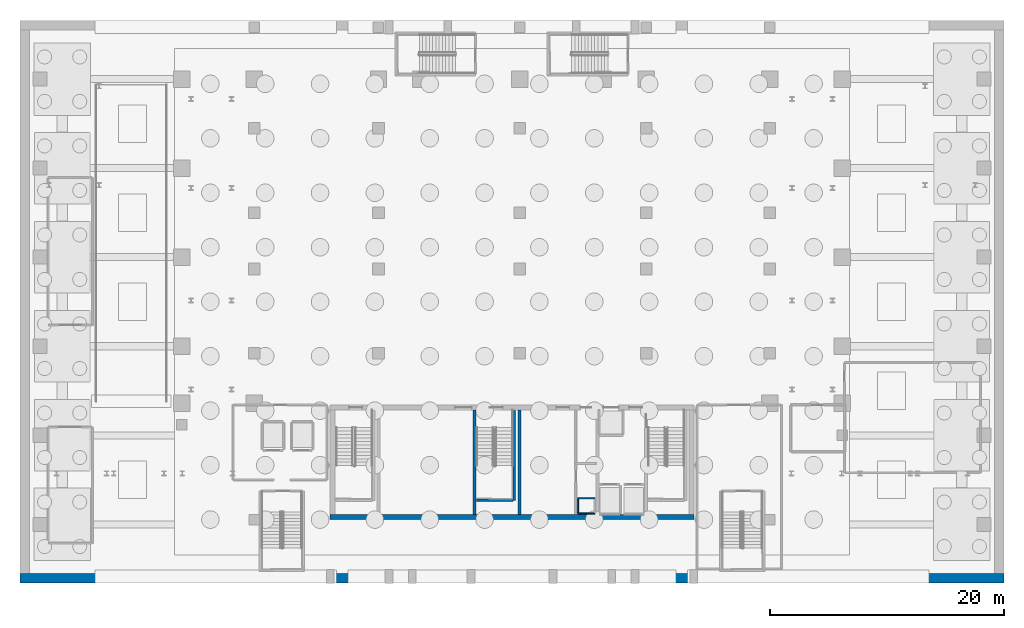
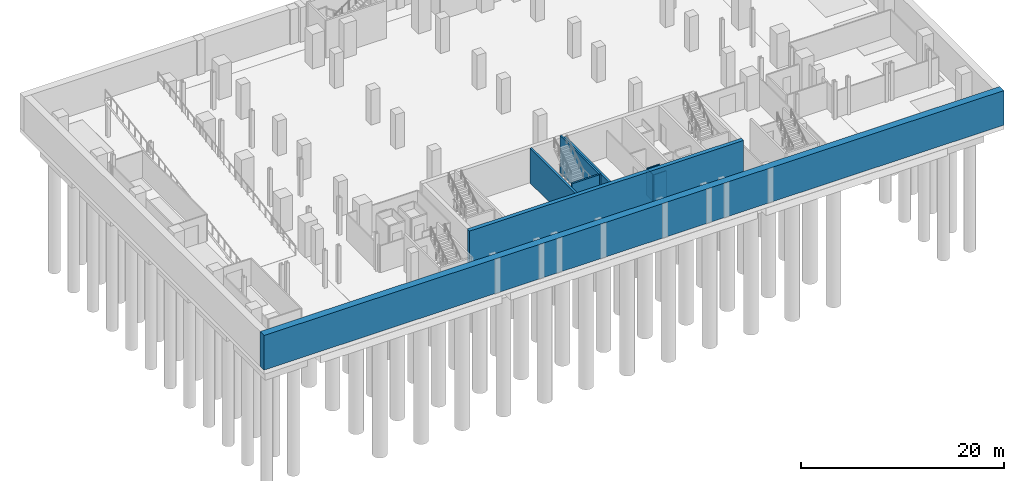
# One storey, part 9 of 18: 9 walls.
"""IFC4 building model written with IfcOpenShell, lengths in metres."""

from ifc_helpers import new_model, si_unit, direction, frame, frame_2d, origin, place, context, subcontext, project, spatial, rectangle, extrude, material, layer, layer_set, type_object, element, save


model = new_model("IFC4")

# Units and contexts
model_context = context("Model", 3, precision=1e-05, world=origin(), true_north=direction((0.0, 1.0)))
body_context = subcontext(model_context, "Body", "Model", "MODEL_VIEW")
ifc_project = project(units=[si_unit("LENGTHUNIT", "METRE"), si_unit("AREAUNIT", "SQUARE_METRE"), si_unit("VOLUMEUNIT", "CUBIC_METRE"), si_unit("PLANEANGLEUNIT", "RADIAN"), si_unit("MASSUNIT", "GRAM", prefix="KILO")], contexts=[model_context])

# Site, building, storey
site_placement = place(None, origin())
site = spatial("IfcSite", under=ifc_project, at=site_placement, CompositionType="ELEMENT")
building_placement = place(site_placement, origin())
building = spatial("IfcBuilding", under=site, at=building_placement, Name="Ndaravel Arena Tower", CompositionType="ELEMENT")
storey_placement = place(building_placement, frame((0.0, 0.0, -9.0)))
storey = spatial("IfcBuildingStorey", under=building, at=storey_placement, Name="B02", CompositionType="ELEMENT", Elevation=-9.0)

# Walls
ifc_material_1 = material(Name="Concrete C60/75", Category="concrete")
ifc_layer_1 = layer(ifc_material_1, 0.25)
ifc_layer_set_1 = layer_set([ifc_layer_1], Name="Concrete C60/75")
wall_type_1 = type_object("IfcWallType", Name="WALL-CORE-250", PredefinedType="SOLIDWALL", material=ifc_layer_set_1)
for number, where, z_axis, x_axis, name in (
    (1, (38.800048828125, 5.85009765625, 0.0), (0.0, 0.0, 1.0), (0.0, 1.0, 0.0), "B02 Core Web Shear Wall 2"),
    (2, (42.64990234375, 5.85009765625, 0.0), (0.0, 0.0, 1.0), (0.0, 1.0, 0.0), "B02 Core Web Shear Wall 3"),
):
    element("IfcWall", number, at=place(storey_placement, frame(where, z_axis=z_axis, x_axis=x_axis)), inside=storey, type_object=wall_type_1, Name=name, PredefinedType="SOLIDWALL", context=body_context, shape_type="SweptSolid", body=[
        extrude(rectangle(XDim=8.89990234375, YDim=0.25, at=frame_2d((4.449951171875, 0.0))), origin(), (0.0, 0.0, 1.0), 4.14990234375),
    ])
ifc_material_2 = material(Name="Concrete C60/75", Category="concrete")
ifc_layer_2 = layer(ifc_material_2, 0.449951171875)
ifc_layer_set_2 = layer_set([ifc_layer_2], Name="Concrete C60/75")
wall_type_2 = type_object("IfcWallType", Name="WALL-CORE-450", PredefinedType="SOLIDWALL", material=ifc_layer_set_2)
wall_1_placement = place(storey_placement, frame((26.449951171875, 5.625, 0.0), z_axis=(0.0, 0.0, 1.0), x_axis=(1.0, 0.0, 0.0)))
element("IfcWall", 3, at=wall_1_placement, inside=storey, type_object=wall_type_2, Name="B02 Core South Shear Wall", PredefinedType="SOLIDWALL", context=body_context, shape_type="SweptSolid", body=[
    extrude(rectangle(XDim=31.10009765625, YDim=0.449951171875, at=frame_2d((15.550048828125, 0.0))), origin(), (0.0, 0.0, 1.0), 4.14990234375),
])
ifc_material_3 = material(Name="Concrete C40/50", Category="concrete")
ifc_layer_3 = layer(ifc_material_3, 0.800048828125)
ifc_layer_set_3 = layer_set([ifc_layer_3], Name="Concrete C40/50")
wall_type_3 = type_object("IfcWallType", Name="WALL-DWALL-800", PredefinedType="USERDEFINED", material=ifc_layer_set_3)
wall_2_placement = place(storey_placement, frame((0.0, 0.39990234375, 0.0), z_axis=(0.0, 0.0, 1.0), x_axis=(1.0, 0.0, 0.0)))
element("IfcWall", 4, at=wall_2_placement, inside=storey, type_object=wall_type_3, Name="B02 South Diaphragm Wall", ObjectType="RETAININGWALL", PredefinedType="USERDEFINED", context=body_context, shape_type="SweptSolid", body=[
    extrude(rectangle(XDim=84.0, YDim=0.800048828125, at=frame_2d((42.0, 0.0))), origin(), (0.0, 0.0, 1.0), 4.14990234375),
])
ifc_material_4 = material(Name="Concrete C40/50", Category="concrete")
ifc_layer_4 = layer(ifc_material_4, 0.1201171875)
ifc_layer_set_4 = layer_set([ifc_layer_4], Name="Concrete C40/50")
wall_type_4 = type_object("IfcWallType", Name="WALL-SHAFT-120", PredefinedType="SOLIDWALL", material=ifc_layer_set_4)
for number, where, z_axis, x_axis, name in (
    (5, (47.6201171875, 5.919921875, 0.0), (0.0, 0.0, 1.0), (1.0, 0.0, 0.0), "B02 MEP Riser Shaft S Wall"),
    (6, (47.6201171875, 7.219970703125, 0.0), (0.0, 0.0, 1.0), (1.0, 0.0, 0.0), "B02 MEP Riser Shaft N Wall"),
):
    element("IfcWall", number, at=place(storey_placement, frame(where, z_axis=z_axis, x_axis=x_axis)), inside=storey, type_object=wall_type_4, Name=name, PredefinedType="SOLIDWALL", context=body_context, shape_type="SweptSolid", body=[
        extrude(rectangle(XDim=1.4599609375, YDim=0.1201171875, at=frame_2d((0.72998046875, 0.0))), origin(), (0.0, 0.0, 1.0), 3.193359375),
    ])
wall_3_placement = place(storey_placement, frame((47.6201171875, 6.0, 0.0), z_axis=(0.0, 0.0, 1.0), x_axis=(0.0, 1.0, 0.0)))
element("IfcWall", 7, at=wall_3_placement, inside=storey, type_object=wall_type_4, Name="B02 MEP Riser Shaft W Wall", PredefinedType="SOLIDWALL", context=body_context, shape_type="SweptSolid", body=[
    extrude(rectangle(XDim=1.139892578125, YDim=0.1201171875, at=frame_2d((0.56982421875, 0.0))), origin(), (0.0, 0.0, 1.0), 3.193359375),
])
ifc_material_5 = material(Name="Concrete C40/50", Category="concrete")
ifc_layer_5 = layer(ifc_material_5, 0.199951171875)
ifc_layer_set_5 = layer_set([ifc_layer_5], Name="Concrete C40/50")
wall_type_5 = type_object("IfcWallType", Name="WALL-SHAFT-200", PredefinedType="SOLIDWALL", material=ifc_layer_set_5)
wall_4_placement = place(storey_placement, frame((42.18994140625, 14.699951171875, 0.0), z_axis=(0.0, 0.0, 1.0), x_axis=(0.0, -1.0, 0.0)))
element("IfcWall", 8, at=wall_4_placement, inside=storey, type_object=wall_type_5, Name="B02 ST-2 Structural Shaft Wall Right", PredefinedType="SOLIDWALL", context=body_context, shape_type="SweptSolid", body=[
    extrude(rectangle(XDim=7.64990234375, YDim=0.199951171875, at=frame_2d((3.824951171875, 0.0))), origin(), (0.0, 0.0, 1.0), 4.5),
])
wall_5_placement = place(storey_placement, frame((38.969970703125, 7.050048828125, 0.0), z_axis=(0.0, 0.0, 1.0), x_axis=(1.0, 0.0, 0.0)))
element("IfcWall", 9, at=wall_5_placement, inside=storey, type_object=wall_type_5, Name="B02 ST-2 Structural Shaft Wall Far", PredefinedType="SOLIDWALL", context=body_context, shape_type="SweptSolid", body=[
    extrude(rectangle(XDim=3.114990234375, YDim=0.199951171875, at=frame_2d((1.5576171875, 0.0))), origin(), (0.0, 0.0, 1.0), 4.5),
])

save(model, "model.ifc")
